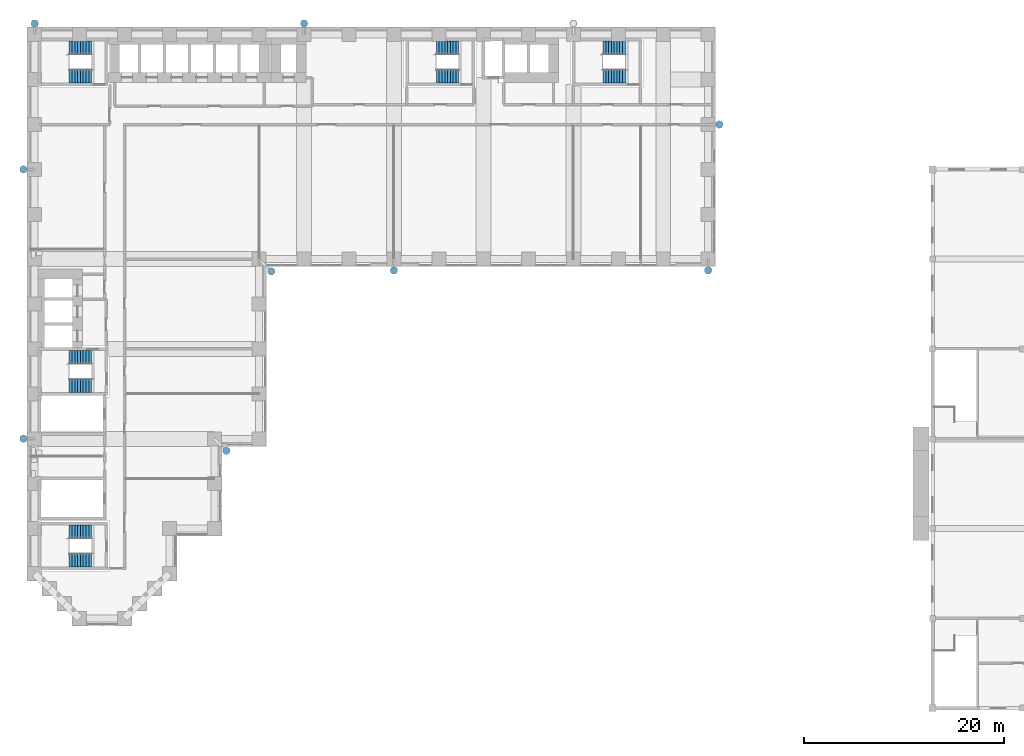
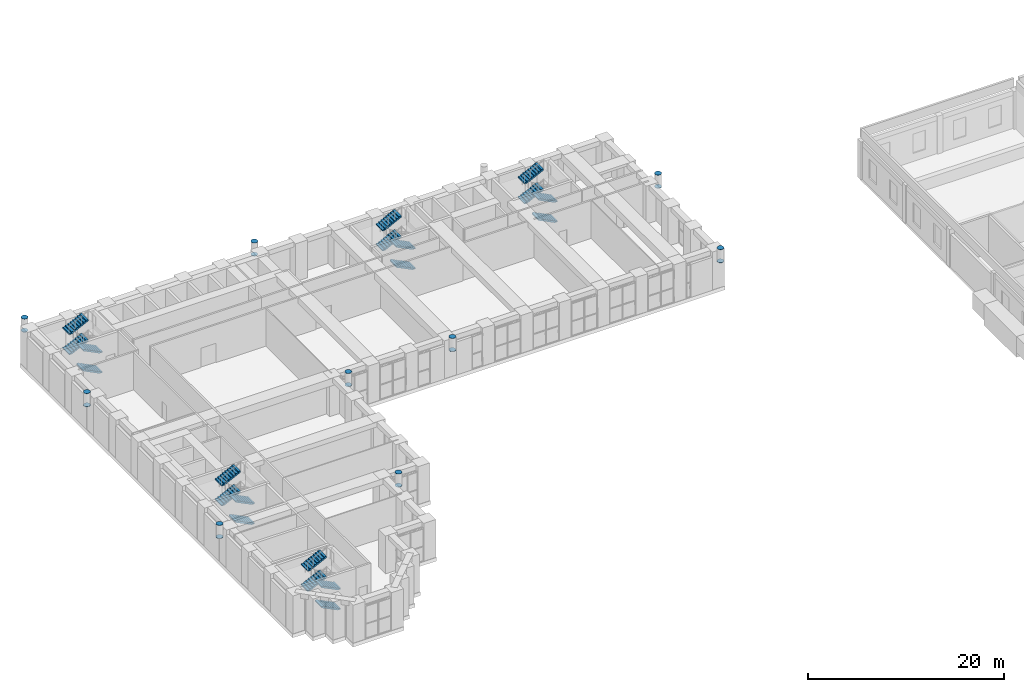
# One storey, part 29 of 35: 20 stair flights, 18 discrete accessories, 5 elements without a shape of their own.
"""IFC4 building model written with IfcOpenShell, lengths in metres."""

from ifc_helpers import new_model, si_unit, direction, frame, origin, origin_2d, place, context, subcontext, project, spatial, polyline, circle, outline, extrude, material, material_profile, profile_set, type_object, element, aggregate, save


model = new_model("IFC4")

# Units and contexts
model_context = context("Model", 3, precision=1e-05, world=origin(), true_north=direction((0.0, 1.0)))
body_context = subcontext(model_context, "Body", "Model", "MODEL_VIEW")
ifc_project = project(units=[si_unit("LENGTHUNIT", "METRE"), si_unit("AREAUNIT", "SQUARE_METRE"), si_unit("VOLUMEUNIT", "CUBIC_METRE"), si_unit("PLANEANGLEUNIT", "RADIAN"), si_unit("MASSUNIT", "GRAM", prefix="KILO")], contexts=[model_context])

# Site, building, storey
site_placement = place(None, origin())
site = spatial("IfcSite", under=ifc_project, at=site_placement, CompositionType="ELEMENT")
building_placement = place(site_placement, origin())
building = spatial("IfcBuilding", under=site, at=building_placement, Name="Firuza Court", CompositionType="ELEMENT")
storey_placement = place(building_placement, frame((0.0, 0.0, 24.0)))
storey = spatial("IfcBuildingStorey", under=building, at=storey_placement, Name="L04", CompositionType="ELEMENT", Elevation=24.0)

# Stair, stair flights
ifc_material_1 = material(Name="Concrete C40/50 precast", Category="concrete")
stair_type = type_object("IfcStairType", Name="Stair 1350 x 5000 4 flights", PredefinedType="QUARTER_TURN_STAIR", material=ifc_material_1)
stair_1_placement = place(storey_placement, origin())
stair_1 = element("IfcStair", 1, at=stair_1_placement, inside=storey, type_object=stair_type, Name="Stair 1 L04", PredefinedType="QUARTER_TURN_STAIR")
ifc_material_2 = material(Name="Concrete C40/50 precast", Category="concrete")
stair_flight_type = type_object("IfcStairFlightType", Name="Flight 1350 riser 138.9", PredefinedType="STRAIGHT", material=ifc_material_2)
stair_flight_1_placement = place(storey_placement, frame((42.5, 54.324951171875, 0.0), z_axis=(0.0, 0.0, 1.0), x_axis=(-1.0, 0.0, 0.0)))
stair_flight_1 = element("IfcStairFlight", 2, at=stair_flight_1_placement, type_object=stair_flight_type, Name="S1 flight 1", NumberOfRisers=9, NumberOfTreads=8, PredefinedType="STRAIGHT", RiserHeight=0.138888889, TreadLength=0.28, context=body_context, shape_type="SweptSolid", body=[
    extrude(outline(polyline([(0.0, 0.0), (0.0, 0.138916015625), (0.280029296875, 0.138916015625), (0.280029296875, 0.27783203125), (0.56005859375, 0.27783203125), (0.56005859375, 0.416748046875), (0.840087890625, 0.416748046875), (0.840087890625, 0.5556640625), (1.1201171875, 0.5556640625), (1.1201171875, 0.6943359375), (1.39990234375, 0.6943359375), (1.39990234375, 0.833251953125), (1.679931640625, 0.833251953125), (1.679931640625, 0.97216796875), (1.9599609375, 0.97216796875), (1.9599609375, 1.111083984375), (2.239990234375, 1.111083984375), (2.239990234375, 1.25), (2.239990234375, 0.94384765625), (0.33740234375, 0.0), (0.0, 0.0)])), frame((0.0, 0.675048828125, 0.0), z_axis=(0.0, -1.0, 0.0), x_axis=(1.0, 0.0, 0.0)), (0.0, 0.0, 1.0), 1.35009765625),
])
stair_flight_2_placement = place(storey_placement, frame((40.260009765625, 57.175048828125, 1.25), z_axis=(0.0, 0.0, 1.0), x_axis=(1.0, 0.0, 0.0)))
stair_flight_2 = element("IfcStairFlight", 3, at=stair_flight_2_placement, type_object=stair_flight_type, Name="S1 flight 2", NumberOfRisers=9, NumberOfTreads=8, PredefinedType="STRAIGHT", RiserHeight=0.138888889, TreadLength=0.28, context=body_context, shape_type="SweptSolid", body=[
    extrude(outline(polyline([(0.0, 0.0), (0.0, 0.138916015625), (0.280029296875, 0.138916015625), (0.280029296875, 0.27783203125), (0.56005859375, 0.27783203125), (0.56005859375, 0.416748046875), (0.840087890625, 0.416748046875), (0.840087890625, 0.5556640625), (1.1201171875, 0.5556640625), (1.1201171875, 0.6943359375), (1.39990234375, 0.6943359375), (1.39990234375, 0.833251953125), (1.679931640625, 0.833251953125), (1.679931640625, 0.97216796875), (1.9599609375, 0.97216796875), (1.9599609375, 1.111083984375), (2.239990234375, 1.111083984375), (2.239990234375, 1.25), (2.239990234375, 0.94384765625), (0.33740234375, 0.0), (0.0, 0.0)])), frame((0.0, 0.675048828125, 0.0), z_axis=(0.0, -1.0, 0.0), x_axis=(1.0, 0.0, 0.0)), (0.0, 0.0, 1.0), 1.35009765625),
])
stair_flight_3_placement = place(storey_placement, frame((42.5, 54.324951171875, 2.5), z_axis=(0.0, 0.0, 1.0), x_axis=(-1.0, 0.0, 0.0)))
stair_flight_3 = element("IfcStairFlight", 4, at=stair_flight_3_placement, type_object=stair_flight_type, Name="S1 flight 3", NumberOfRisers=9, NumberOfTreads=8, PredefinedType="STRAIGHT", RiserHeight=0.138888889, TreadLength=0.28, context=body_context, shape_type="SweptSolid", body=[
    extrude(outline(polyline([(0.0, 0.0), (0.0, 0.138916015625), (0.280029296875, 0.138916015625), (0.280029296875, 0.27783203125), (0.56005859375, 0.27783203125), (0.56005859375, 0.416748046875), (0.840087890625, 0.416748046875), (0.840087890625, 0.5556640625), (1.1201171875, 0.5556640625), (1.1201171875, 0.6943359375), (1.39990234375, 0.6943359375), (1.39990234375, 0.833251953125), (1.679931640625, 0.833251953125), (1.679931640625, 0.97216796875), (1.9599609375, 0.97216796875), (1.9599609375, 1.111083984375), (2.239990234375, 1.111083984375), (2.239990234375, 1.25), (2.239990234375, 0.94384765625), (0.33740234375, 0.0), (0.0, 0.0)])), frame((0.0, 0.675048828125, 0.0), z_axis=(0.0, -1.0, 0.0), x_axis=(1.0, 0.0, 0.0)), (0.0, 0.0, 1.0), 1.35009765625),
])
stair_flight_4_placement = place(storey_placement, frame((40.260009765625, 57.175048828125, 3.75), z_axis=(0.0, 0.0, 1.0), x_axis=(1.0, 0.0, 0.0)))
stair_flight_4 = element("IfcStairFlight", 5, at=stair_flight_4_placement, type_object=stair_flight_type, Name="S1 flight 4", NumberOfRisers=9, NumberOfTreads=8, PredefinedType="STRAIGHT", RiserHeight=0.138888889, TreadLength=0.28, context=body_context, shape_type="SweptSolid", body=[
    extrude(outline(polyline([(0.0, 0.0), (0.0, 0.138916015625), (0.280029296875, 0.138916015625), (0.280029296875, 0.27783203125), (0.56005859375, 0.27783203125), (0.56005859375, 0.416748046875), (0.840087890625, 0.416748046875), (0.840087890625, 0.5556640625), (1.1201171875, 0.5556640625), (1.1201171875, 0.6943359375), (1.39990234375, 0.6943359375), (1.39990234375, 0.833251953125), (1.679931640625, 0.833251953125), (1.679931640625, 0.97216796875), (1.9599609375, 0.97216796875), (1.9599609375, 1.111083984375), (2.239990234375, 1.111083984375), (2.239990234375, 1.25), (2.239990234375, 0.94384765625), (0.33740234375, 0.0), (0.0, 0.0)])), frame((0.0, 0.675048828125, 0.0), z_axis=(0.0, -1.0, 0.0), x_axis=(1.0, 0.0, 0.0)), (0.0, 0.0, 1.0), 1.35009765625),
])
aggregate(stair_1, [stair_flight_1, stair_flight_2, stair_flight_3, stair_flight_4])

stair_2_placement = place(storey_placement, origin())
stair_2 = element("IfcStair", 6, at=stair_2_placement, inside=storey, type_object=stair_type, Name="Stair 2 L04", PredefinedType="QUARTER_TURN_STAIR")
stair_flight_5_placement = place(storey_placement, frame((5.699951171875, 23.324951171875, 0.0), z_axis=(0.0, 0.0, 1.0), x_axis=(-1.0, 0.0, 0.0)))
stair_flight_5 = element("IfcStairFlight", 7, at=stair_flight_5_placement, type_object=stair_flight_type, Name="S2 flight 1", NumberOfRisers=9, NumberOfTreads=8, PredefinedType="STRAIGHT", RiserHeight=0.138888889, TreadLength=0.28, context=body_context, shape_type="SweptSolid", body=[
    extrude(outline(polyline([(0.0, 0.0), (0.0, 0.138916015625), (0.280029296875, 0.138916015625), (0.280029296875, 0.27783203125), (0.56005859375, 0.27783203125), (0.56005859375, 0.416748046875), (0.840087890625, 0.416748046875), (0.840087890625, 0.5556640625), (1.1201171875, 0.5556640625), (1.1201171875, 0.6943359375), (1.39990234375, 0.6943359375), (1.39990234375, 0.833251953125), (1.679931640625, 0.833251953125), (1.679931640625, 0.97216796875), (1.9599609375, 0.97216796875), (1.9599609375, 1.111083984375), (2.239990234375, 1.111083984375), (2.239990234375, 1.25), (2.239990234375, 0.94384765625), (0.33740234375, 0.0), (0.0, 0.0)])), frame((0.0, 0.675048828125, 0.0), z_axis=(0.0, -1.0, 0.0), x_axis=(1.0, 0.0, 0.0)), (0.0, 0.0, 1.0), 1.35009765625),
])
stair_flight_6_placement = place(storey_placement, frame((3.4599609375, 26.175048828125, 1.25), z_axis=(0.0, 0.0, 1.0), x_axis=(1.0, 0.0, 0.0)))
stair_flight_6 = element("IfcStairFlight", 8, at=stair_flight_6_placement, type_object=stair_flight_type, Name="S2 flight 2", NumberOfRisers=9, NumberOfTreads=8, PredefinedType="STRAIGHT", RiserHeight=0.138888889, TreadLength=0.28, context=body_context, shape_type="SweptSolid", body=[
    extrude(outline(polyline([(0.0, 0.0), (0.0, 0.138916015625), (0.280029296875, 0.138916015625), (0.280029296875, 0.27783203125), (0.56005859375, 0.27783203125), (0.56005859375, 0.416748046875), (0.840087890625, 0.416748046875), (0.840087890625, 0.5556640625), (1.1201171875, 0.5556640625), (1.1201171875, 0.6943359375), (1.39990234375, 0.6943359375), (1.39990234375, 0.833251953125), (1.679931640625, 0.833251953125), (1.679931640625, 0.97216796875), (1.9599609375, 0.97216796875), (1.9599609375, 1.111083984375), (2.239990234375, 1.111083984375), (2.239990234375, 1.25), (2.239990234375, 0.94384765625), (0.33740234375, 0.0), (0.0, 0.0)])), frame((0.0, 0.675048828125, 0.0), z_axis=(0.0, -1.0, 0.0), x_axis=(1.0, 0.0, 0.0)), (0.0, 0.0, 1.0), 1.35009765625),
])
stair_flight_7_placement = place(storey_placement, frame((5.699951171875, 23.324951171875, 2.5), z_axis=(0.0, 0.0, 1.0), x_axis=(-1.0, 0.0, 0.0)))
stair_flight_7 = element("IfcStairFlight", 9, at=stair_flight_7_placement, type_object=stair_flight_type, Name="S2 flight 3", NumberOfRisers=9, NumberOfTreads=8, PredefinedType="STRAIGHT", RiserHeight=0.138888889, TreadLength=0.28, context=body_context, shape_type="SweptSolid", body=[
    extrude(outline(polyline([(0.0, 0.0), (0.0, 0.138916015625), (0.280029296875, 0.138916015625), (0.280029296875, 0.27783203125), (0.56005859375, 0.27783203125), (0.56005859375, 0.416748046875), (0.840087890625, 0.416748046875), (0.840087890625, 0.5556640625), (1.1201171875, 0.5556640625), (1.1201171875, 0.6943359375), (1.39990234375, 0.6943359375), (1.39990234375, 0.833251953125), (1.679931640625, 0.833251953125), (1.679931640625, 0.97216796875), (1.9599609375, 0.97216796875), (1.9599609375, 1.111083984375), (2.239990234375, 1.111083984375), (2.239990234375, 1.25), (2.239990234375, 0.94384765625), (0.33740234375, 0.0), (0.0, 0.0)])), frame((0.0, 0.675048828125, 0.0), z_axis=(0.0, -1.0, 0.0), x_axis=(1.0, 0.0, 0.0)), (0.0, 0.0, 1.0), 1.35009765625),
])
stair_flight_8_placement = place(storey_placement, frame((3.4599609375, 26.175048828125, 3.75), z_axis=(0.0, 0.0, 1.0), x_axis=(1.0, 0.0, 0.0)))
stair_flight_8 = element("IfcStairFlight", 10, at=stair_flight_8_placement, type_object=stair_flight_type, Name="S2 flight 4", NumberOfRisers=9, NumberOfTreads=8, PredefinedType="STRAIGHT", RiserHeight=0.138888889, TreadLength=0.28, context=body_context, shape_type="SweptSolid", body=[
    extrude(outline(polyline([(0.0, 0.0), (0.0, 0.138916015625), (0.280029296875, 0.138916015625), (0.280029296875, 0.27783203125), (0.56005859375, 0.27783203125), (0.56005859375, 0.416748046875), (0.840087890625, 0.416748046875), (0.840087890625, 0.5556640625), (1.1201171875, 0.5556640625), (1.1201171875, 0.6943359375), (1.39990234375, 0.6943359375), (1.39990234375, 0.833251953125), (1.679931640625, 0.833251953125), (1.679931640625, 0.97216796875), (1.9599609375, 0.97216796875), (1.9599609375, 1.111083984375), (2.239990234375, 1.111083984375), (2.239990234375, 1.25), (2.239990234375, 0.94384765625), (0.33740234375, 0.0), (0.0, 0.0)])), frame((0.0, 0.675048828125, 0.0), z_axis=(0.0, -1.0, 0.0), x_axis=(1.0, 0.0, 0.0)), (0.0, 0.0, 1.0), 1.35009765625),
])
aggregate(stair_2, [stair_flight_5, stair_flight_6, stair_flight_7, stair_flight_8])

stair_3_placement = place(storey_placement, origin())
stair_3 = element("IfcStair", 11, at=stair_3_placement, inside=storey, type_object=stair_type, Name="Stair 3 L04", PredefinedType="QUARTER_TURN_STAIR")
stair_flight_9_placement = place(storey_placement, frame((5.699951171875, 54.324951171875, 0.0), z_axis=(0.0, 0.0, 1.0), x_axis=(-1.0, 0.0, 0.0)))
stair_flight_9 = element("IfcStairFlight", 12, at=stair_flight_9_placement, type_object=stair_flight_type, Name="S3 flight 1", NumberOfRisers=9, NumberOfTreads=8, PredefinedType="STRAIGHT", RiserHeight=0.138888889, TreadLength=0.28, context=body_context, shape_type="SweptSolid", body=[
    extrude(outline(polyline([(0.0, 0.0), (0.0, 0.138916015625), (0.280029296875, 0.138916015625), (0.280029296875, 0.27783203125), (0.56005859375, 0.27783203125), (0.56005859375, 0.416748046875), (0.840087890625, 0.416748046875), (0.840087890625, 0.5556640625), (1.1201171875, 0.5556640625), (1.1201171875, 0.6943359375), (1.39990234375, 0.6943359375), (1.39990234375, 0.833251953125), (1.679931640625, 0.833251953125), (1.679931640625, 0.97216796875), (1.9599609375, 0.97216796875), (1.9599609375, 1.111083984375), (2.239990234375, 1.111083984375), (2.239990234375, 1.25), (2.239990234375, 0.94384765625), (0.33740234375, 0.0), (0.0, 0.0)])), frame((0.0, 0.675048828125, 0.0), z_axis=(0.0, -1.0, 0.0), x_axis=(1.0, 0.0, 0.0)), (0.0, 0.0, 1.0), 1.35009765625),
])
stair_flight_10_placement = place(storey_placement, frame((3.4599609375, 57.175048828125, 1.25), z_axis=(0.0, 0.0, 1.0), x_axis=(1.0, 0.0, 0.0)))
stair_flight_10 = element("IfcStairFlight", 13, at=stair_flight_10_placement, type_object=stair_flight_type, Name="S3 flight 2", NumberOfRisers=9, NumberOfTreads=8, PredefinedType="STRAIGHT", RiserHeight=0.138888889, TreadLength=0.28, context=body_context, shape_type="SweptSolid", body=[
    extrude(outline(polyline([(0.0, 0.0), (0.0, 0.138916015625), (0.280029296875, 0.138916015625), (0.280029296875, 0.27783203125), (0.56005859375, 0.27783203125), (0.56005859375, 0.416748046875), (0.840087890625, 0.416748046875), (0.840087890625, 0.5556640625), (1.1201171875, 0.5556640625), (1.1201171875, 0.6943359375), (1.39990234375, 0.6943359375), (1.39990234375, 0.833251953125), (1.679931640625, 0.833251953125), (1.679931640625, 0.97216796875), (1.9599609375, 0.97216796875), (1.9599609375, 1.111083984375), (2.239990234375, 1.111083984375), (2.239990234375, 1.25), (2.239990234375, 0.94384765625), (0.33740234375, 0.0), (0.0, 0.0)])), frame((0.0, 0.675048828125, 0.0), z_axis=(0.0, -1.0, 0.0), x_axis=(1.0, 0.0, 0.0)), (0.0, 0.0, 1.0), 1.35009765625),
])
stair_flight_11_placement = place(storey_placement, frame((5.699951171875, 54.324951171875, 2.5), z_axis=(0.0, 0.0, 1.0), x_axis=(-1.0, 0.0, 0.0)))
stair_flight_11 = element("IfcStairFlight", 14, at=stair_flight_11_placement, type_object=stair_flight_type, Name="S3 flight 3", NumberOfRisers=9, NumberOfTreads=8, PredefinedType="STRAIGHT", RiserHeight=0.138888889, TreadLength=0.28, context=body_context, shape_type="SweptSolid", body=[
    extrude(outline(polyline([(0.0, 0.0), (0.0, 0.138916015625), (0.280029296875, 0.138916015625), (0.280029296875, 0.27783203125), (0.56005859375, 0.27783203125), (0.56005859375, 0.416748046875), (0.840087890625, 0.416748046875), (0.840087890625, 0.5556640625), (1.1201171875, 0.5556640625), (1.1201171875, 0.6943359375), (1.39990234375, 0.6943359375), (1.39990234375, 0.833251953125), (1.679931640625, 0.833251953125), (1.679931640625, 0.97216796875), (1.9599609375, 0.97216796875), (1.9599609375, 1.111083984375), (2.239990234375, 1.111083984375), (2.239990234375, 1.25), (2.239990234375, 0.94384765625), (0.33740234375, 0.0), (0.0, 0.0)])), frame((0.0, 0.675048828125, 0.0), z_axis=(0.0, -1.0, 0.0), x_axis=(1.0, 0.0, 0.0)), (0.0, 0.0, 1.0), 1.35009765625),
])
stair_flight_12_placement = place(storey_placement, frame((3.4599609375, 57.175048828125, 3.75), z_axis=(0.0, 0.0, 1.0), x_axis=(1.0, 0.0, 0.0)))
stair_flight_12 = element("IfcStairFlight", 15, at=stair_flight_12_placement, type_object=stair_flight_type, Name="S3 flight 4", NumberOfRisers=9, NumberOfTreads=8, PredefinedType="STRAIGHT", RiserHeight=0.138888889, TreadLength=0.28, context=body_context, shape_type="SweptSolid", body=[
    extrude(outline(polyline([(0.0, 0.0), (0.0, 0.138916015625), (0.280029296875, 0.138916015625), (0.280029296875, 0.27783203125), (0.56005859375, 0.27783203125), (0.56005859375, 0.416748046875), (0.840087890625, 0.416748046875), (0.840087890625, 0.5556640625), (1.1201171875, 0.5556640625), (1.1201171875, 0.6943359375), (1.39990234375, 0.6943359375), (1.39990234375, 0.833251953125), (1.679931640625, 0.833251953125), (1.679931640625, 0.97216796875), (1.9599609375, 0.97216796875), (1.9599609375, 1.111083984375), (2.239990234375, 1.111083984375), (2.239990234375, 1.25), (2.239990234375, 0.94384765625), (0.33740234375, 0.0), (0.0, 0.0)])), frame((0.0, 0.675048828125, 0.0), z_axis=(0.0, -1.0, 0.0), x_axis=(1.0, 0.0, 0.0)), (0.0, 0.0, 1.0), 1.35009765625),
])
aggregate(stair_3, [stair_flight_9, stair_flight_10, stair_flight_11, stair_flight_12])

stair_4_placement = place(storey_placement, origin())
stair_4 = element("IfcStair", 16, at=stair_4_placement, inside=storey, type_object=stair_type, Name="Stair 4 L04", PredefinedType="QUARTER_TURN_STAIR")
stair_flight_13_placement = place(storey_placement, frame((59.199951171875, 54.324951171875, 0.0), z_axis=(0.0, 0.0, 1.0), x_axis=(-1.0, 0.0, 0.0)))
stair_flight_13 = element("IfcStairFlight", 17, at=stair_flight_13_placement, type_object=stair_flight_type, Name="S4 flight 1", NumberOfRisers=9, NumberOfTreads=8, PredefinedType="STRAIGHT", RiserHeight=0.138888889, TreadLength=0.28, context=body_context, shape_type="SweptSolid", body=[
    extrude(outline(polyline([(0.0, 0.0), (0.0, 0.138916015625), (0.280029296875, 0.138916015625), (0.280029296875, 0.27783203125), (0.56005859375, 0.27783203125), (0.56005859375, 0.416748046875), (0.840087890625, 0.416748046875), (0.840087890625, 0.5556640625), (1.1201171875, 0.5556640625), (1.1201171875, 0.6943359375), (1.39990234375, 0.6943359375), (1.39990234375, 0.833251953125), (1.679931640625, 0.833251953125), (1.679931640625, 0.97216796875), (1.9599609375, 0.97216796875), (1.9599609375, 1.111083984375), (2.239990234375, 1.111083984375), (2.239990234375, 1.25), (2.239990234375, 0.94384765625), (0.33740234375, 0.0), (0.0, 0.0)])), frame((0.0, 0.675048828125, 0.0), z_axis=(0.0, -1.0, 0.0), x_axis=(1.0, 0.0, 0.0)), (0.0, 0.0, 1.0), 1.35009765625),
])
stair_flight_14_placement = place(storey_placement, frame((56.9599609375, 57.175048828125, 1.25), z_axis=(0.0, 0.0, 1.0), x_axis=(1.0, 0.0, 0.0)))
stair_flight_14 = element("IfcStairFlight", 18, at=stair_flight_14_placement, type_object=stair_flight_type, Name="S4 flight 2", NumberOfRisers=9, NumberOfTreads=8, PredefinedType="STRAIGHT", RiserHeight=0.138888889, TreadLength=0.28, context=body_context, shape_type="SweptSolid", body=[
    extrude(outline(polyline([(0.0, 0.0), (0.0, 0.138916015625), (0.280029296875, 0.138916015625), (0.280029296875, 0.27783203125), (0.56005859375, 0.27783203125), (0.56005859375, 0.416748046875), (0.840087890625, 0.416748046875), (0.840087890625, 0.5556640625), (1.1201171875, 0.5556640625), (1.1201171875, 0.6943359375), (1.39990234375, 0.6943359375), (1.39990234375, 0.833251953125), (1.679931640625, 0.833251953125), (1.679931640625, 0.97216796875), (1.9599609375, 0.97216796875), (1.9599609375, 1.111083984375), (2.239990234375, 1.111083984375), (2.239990234375, 1.25), (2.239990234375, 0.94384765625), (0.33740234375, 0.0), (0.0, 0.0)])), frame((0.0, 0.675048828125, 0.0), z_axis=(0.0, -1.0, 0.0), x_axis=(1.0, 0.0, 0.0)), (0.0, 0.0, 1.0), 1.35009765625),
])
stair_flight_15_placement = place(storey_placement, frame((59.199951171875, 54.324951171875, 2.5), z_axis=(0.0, 0.0, 1.0), x_axis=(-1.0, 0.0, 0.0)))
stair_flight_15 = element("IfcStairFlight", 19, at=stair_flight_15_placement, type_object=stair_flight_type, Name="S4 flight 3", NumberOfRisers=9, NumberOfTreads=8, PredefinedType="STRAIGHT", RiserHeight=0.138888889, TreadLength=0.28, context=body_context, shape_type="SweptSolid", body=[
    extrude(outline(polyline([(0.0, 0.0), (0.0, 0.138916015625), (0.280029296875, 0.138916015625), (0.280029296875, 0.27783203125), (0.56005859375, 0.27783203125), (0.56005859375, 0.416748046875), (0.840087890625, 0.416748046875), (0.840087890625, 0.5556640625), (1.1201171875, 0.5556640625), (1.1201171875, 0.6943359375), (1.39990234375, 0.6943359375), (1.39990234375, 0.833251953125), (1.679931640625, 0.833251953125), (1.679931640625, 0.97216796875), (1.9599609375, 0.97216796875), (1.9599609375, 1.111083984375), (2.239990234375, 1.111083984375), (2.239990234375, 1.25), (2.239990234375, 0.94384765625), (0.33740234375, 0.0), (0.0, 0.0)])), frame((0.0, 0.675048828125, 0.0), z_axis=(0.0, -1.0, 0.0), x_axis=(1.0, 0.0, 0.0)), (0.0, 0.0, 1.0), 1.35009765625),
])
stair_flight_16_placement = place(storey_placement, frame((56.9599609375, 57.175048828125, 3.75), z_axis=(0.0, 0.0, 1.0), x_axis=(1.0, 0.0, 0.0)))
stair_flight_16 = element("IfcStairFlight", 20, at=stair_flight_16_placement, type_object=stair_flight_type, Name="S4 flight 4", NumberOfRisers=9, NumberOfTreads=8, PredefinedType="STRAIGHT", RiserHeight=0.138888889, TreadLength=0.28, context=body_context, shape_type="SweptSolid", body=[
    extrude(outline(polyline([(0.0, 0.0), (0.0, 0.138916015625), (0.280029296875, 0.138916015625), (0.280029296875, 0.27783203125), (0.56005859375, 0.27783203125), (0.56005859375, 0.416748046875), (0.840087890625, 0.416748046875), (0.840087890625, 0.5556640625), (1.1201171875, 0.5556640625), (1.1201171875, 0.6943359375), (1.39990234375, 0.6943359375), (1.39990234375, 0.833251953125), (1.679931640625, 0.833251953125), (1.679931640625, 0.97216796875), (1.9599609375, 0.97216796875), (1.9599609375, 1.111083984375), (2.239990234375, 1.111083984375), (2.239990234375, 1.25), (2.239990234375, 0.94384765625), (0.33740234375, 0.0), (0.0, 0.0)])), frame((0.0, 0.675048828125, 0.0), z_axis=(0.0, -1.0, 0.0), x_axis=(1.0, 0.0, 0.0)), (0.0, 0.0, 1.0), 1.35009765625),
])
aggregate(stair_4, [stair_flight_13, stair_flight_14, stair_flight_15, stair_flight_16])

stair_5_placement = place(storey_placement, origin())
stair_5 = element("IfcStair", 21, at=stair_5_placement, inside=storey, type_object=stair_type, Name="Stair 5 L04", PredefinedType="QUARTER_TURN_STAIR")
stair_flight_17_placement = place(storey_placement, frame((5.699951171875, 5.824951171875, 0.0), z_axis=(0.0, 0.0, 1.0), x_axis=(-1.0, 0.0, 0.0)))
stair_flight_17 = element("IfcStairFlight", 22, at=stair_flight_17_placement, type_object=stair_flight_type, Name="S5 flight 1", NumberOfRisers=9, NumberOfTreads=8, PredefinedType="STRAIGHT", RiserHeight=0.138888889, TreadLength=0.28, context=body_context, shape_type="SweptSolid", body=[
    extrude(outline(polyline([(0.0, 0.0), (0.0, 0.138916015625), (0.280029296875, 0.138916015625), (0.280029296875, 0.27783203125), (0.56005859375, 0.27783203125), (0.56005859375, 0.416748046875), (0.840087890625, 0.416748046875), (0.840087890625, 0.5556640625), (1.1201171875, 0.5556640625), (1.1201171875, 0.6943359375), (1.39990234375, 0.6943359375), (1.39990234375, 0.833251953125), (1.679931640625, 0.833251953125), (1.679931640625, 0.97216796875), (1.9599609375, 0.97216796875), (1.9599609375, 1.111083984375), (2.239990234375, 1.111083984375), (2.239990234375, 1.25), (2.239990234375, 0.94384765625), (0.33740234375, 0.0), (0.0, 0.0)])), frame((0.0, 0.675048828125, 0.0), z_axis=(0.0, -1.0, 0.0), x_axis=(1.0, 0.0, 0.0)), (0.0, 0.0, 1.0), 1.35009765625),
])
stair_flight_18_placement = place(storey_placement, frame((3.4599609375, 8.675048828125, 1.25), z_axis=(0.0, 0.0, 1.0), x_axis=(1.0, 0.0, 0.0)))
stair_flight_18 = element("IfcStairFlight", 23, at=stair_flight_18_placement, type_object=stair_flight_type, Name="S5 flight 2", NumberOfRisers=9, NumberOfTreads=8, PredefinedType="STRAIGHT", RiserHeight=0.138888889, TreadLength=0.28, context=body_context, shape_type="SweptSolid", body=[
    extrude(outline(polyline([(0.0, 0.0), (0.0, 0.138916015625), (0.280029296875, 0.138916015625), (0.280029296875, 0.27783203125), (0.56005859375, 0.27783203125), (0.56005859375, 0.416748046875), (0.840087890625, 0.416748046875), (0.840087890625, 0.5556640625), (1.1201171875, 0.5556640625), (1.1201171875, 0.6943359375), (1.39990234375, 0.6943359375), (1.39990234375, 0.833251953125), (1.679931640625, 0.833251953125), (1.679931640625, 0.97216796875), (1.9599609375, 0.97216796875), (1.9599609375, 1.111083984375), (2.239990234375, 1.111083984375), (2.239990234375, 1.25), (2.239990234375, 0.94384765625), (0.33740234375, 0.0), (0.0, 0.0)])), frame((0.0, 0.675048828125, 0.0), z_axis=(0.0, -1.0, 0.0), x_axis=(1.0, 0.0, 0.0)), (0.0, 0.0, 1.0), 1.35009765625),
])
stair_flight_19_placement = place(storey_placement, frame((5.699951171875, 5.824951171875, 2.5), z_axis=(0.0, 0.0, 1.0), x_axis=(-1.0, 0.0, 0.0)))
stair_flight_19 = element("IfcStairFlight", 24, at=stair_flight_19_placement, type_object=stair_flight_type, Name="S5 flight 3", NumberOfRisers=9, NumberOfTreads=8, PredefinedType="STRAIGHT", RiserHeight=0.138888889, TreadLength=0.28, context=body_context, shape_type="SweptSolid", body=[
    extrude(outline(polyline([(0.0, 0.0), (0.0, 0.138916015625), (0.280029296875, 0.138916015625), (0.280029296875, 0.27783203125), (0.56005859375, 0.27783203125), (0.56005859375, 0.416748046875), (0.840087890625, 0.416748046875), (0.840087890625, 0.5556640625), (1.1201171875, 0.5556640625), (1.1201171875, 0.6943359375), (1.39990234375, 0.6943359375), (1.39990234375, 0.833251953125), (1.679931640625, 0.833251953125), (1.679931640625, 0.97216796875), (1.9599609375, 0.97216796875), (1.9599609375, 1.111083984375), (2.239990234375, 1.111083984375), (2.239990234375, 1.25), (2.239990234375, 0.94384765625), (0.33740234375, 0.0), (0.0, 0.0)])), frame((0.0, 0.675048828125, 0.0), z_axis=(0.0, -1.0, 0.0), x_axis=(1.0, 0.0, 0.0)), (0.0, 0.0, 1.0), 1.35009765625),
])
stair_flight_20_placement = place(storey_placement, frame((3.4599609375, 8.675048828125, 3.75), z_axis=(0.0, 0.0, 1.0), x_axis=(1.0, 0.0, 0.0)))
stair_flight_20 = element("IfcStairFlight", 25, at=stair_flight_20_placement, type_object=stair_flight_type, Name="S5 flight 4", NumberOfRisers=9, NumberOfTreads=8, PredefinedType="STRAIGHT", RiserHeight=0.138888889, TreadLength=0.28, context=body_context, shape_type="SweptSolid", body=[
    extrude(outline(polyline([(0.0, 0.0), (0.0, 0.138916015625), (0.280029296875, 0.138916015625), (0.280029296875, 0.27783203125), (0.56005859375, 0.27783203125), (0.56005859375, 0.416748046875), (0.840087890625, 0.416748046875), (0.840087890625, 0.5556640625), (1.1201171875, 0.5556640625), (1.1201171875, 0.6943359375), (1.39990234375, 0.6943359375), (1.39990234375, 0.833251953125), (1.679931640625, 0.833251953125), (1.679931640625, 0.97216796875), (1.9599609375, 0.97216796875), (1.9599609375, 1.111083984375), (2.239990234375, 1.111083984375), (2.239990234375, 1.25), (2.239990234375, 0.94384765625), (0.33740234375, 0.0), (0.0, 0.0)])), frame((0.0, 0.675048828125, 0.0), z_axis=(0.0, -1.0, 0.0), x_axis=(1.0, 0.0, 0.0)), (0.0, 0.0, 1.0), 1.35009765625),
])
aggregate(stair_5, [stair_flight_17, stair_flight_18, stair_flight_19, stair_flight_20])

# Discrete accessories
ifc_material_3 = material(Name="Steel S355", Category="steel")
ifc_material_profile = material_profile(ifc_material_3, circle(Radius=0.35546875, at=origin_2d()), Name="PL D711")
ifc_profile_set = profile_set([ifc_material_profile], Name="Steel S355")
discrete_accessory_type = type_object("IfcDiscreteAccessoryType", Name="DIAGRID NODE END PLATE", PredefinedType="NOTDEFINED", material=ifc_profile_set)
discrete_accessory_1_placement = place(storey_placement, frame((-1.1201171875, 18.0, 5.25), z_axis=(0.0, 0.0, 1.0), x_axis=(1.0, 0.0, 0.0)))
element("IfcDiscreteAccessory", 26, at=discrete_accessory_1_placement, inside=storey, type_object=discrete_accessory_type, Name="Diagrid node end plate level L04", PredefinedType="NOTDEFINED", context=body_context, shape_type="SweptSolid", body=[
    extrude(circle(Radius=0.35546875, at=origin_2d()), origin(), (0.0, 0.0, 1.0), 0.030029296875),
])
discrete_accessory_2_placement = place(storey_placement, frame((-1.1201171875, 18.0, 3.6201171875), z_axis=(0.0, 0.0, 1.0), x_axis=(1.0, 0.0, 0.0)))
element("IfcDiscreteAccessory", 27, at=discrete_accessory_2_placement, inside=storey, type_object=discrete_accessory_type, Name="Diagrid node end plate level L04", PredefinedType="NOTDEFINED", context=body_context, shape_type="SweptSolid", body=[
    extrude(circle(Radius=0.35546875, at=origin_2d()), origin(), (0.0, 0.0, 1.0), 0.02978515625),
])
discrete_accessory_3_placement = place(storey_placement, frame((-1.1201171875, 45.0, 5.25), z_axis=(0.0, 0.0, 1.0), x_axis=(1.0, 0.0, 0.0)))
element("IfcDiscreteAccessory", 28, at=discrete_accessory_3_placement, inside=storey, type_object=discrete_accessory_type, Name="Diagrid node end plate level L04", PredefinedType="NOTDEFINED", context=body_context, shape_type="SweptSolid", body=[
    extrude(circle(Radius=0.35546875, at=origin_2d()), origin(), (0.0, 0.0, 1.0), 0.030029296875),
])
discrete_accessory_4_placement = place(storey_placement, frame((-1.1201171875, 45.0, 3.6201171875), z_axis=(0.0, 0.0, 1.0), x_axis=(1.0, 0.0, 0.0)))
element("IfcDiscreteAccessory", 29, at=discrete_accessory_4_placement, inside=storey, type_object=discrete_accessory_type, Name="Diagrid node end plate level L04", PredefinedType="NOTDEFINED", context=body_context, shape_type="SweptSolid", body=[
    extrude(circle(Radius=0.35546875, at=origin_2d()), origin(), (0.0, 0.0, 1.0), 0.02978515625),
])
discrete_accessory_5_placement = place(storey_placement, frame((0.0, 59.6201171875, 5.25), z_axis=(0.0, 0.0, 1.0), x_axis=(1.0, 0.0, 0.0)))
element("IfcDiscreteAccessory", 30, at=discrete_accessory_5_placement, inside=storey, type_object=discrete_accessory_type, Name="Diagrid node end plate level L04", PredefinedType="NOTDEFINED", context=body_context, shape_type="SweptSolid", body=[
    extrude(circle(Radius=0.35546875, at=origin_2d()), origin(), (0.0, 0.0, 1.0), 0.030029296875),
])
discrete_accessory_6_placement = place(storey_placement, frame((0.0, 59.6201171875, 3.6201171875), z_axis=(0.0, 0.0, 1.0), x_axis=(1.0, 0.0, 0.0)))
element("IfcDiscreteAccessory", 31, at=discrete_accessory_6_placement, inside=storey, type_object=discrete_accessory_type, Name="Diagrid node end plate level L04", PredefinedType="NOTDEFINED", context=body_context, shape_type="SweptSolid", body=[
    extrude(circle(Radius=0.35546875, at=origin_2d()), origin(), (0.0, 0.0, 1.0), 0.02978515625),
])
discrete_accessory_7_placement = place(storey_placement, frame((19.2099609375, 16.7900390625, 5.25), z_axis=(0.0, 0.0, 1.0), x_axis=(1.0, 0.0, 0.0)))
element("IfcDiscreteAccessory", 32, at=discrete_accessory_7_placement, inside=storey, type_object=discrete_accessory_type, Name="Diagrid node end plate level L04", PredefinedType="NOTDEFINED", context=body_context, shape_type="SweptSolid", body=[
    extrude(circle(Radius=0.35546875, at=origin_2d()), origin(), (0.0, 0.0, 1.0), 0.030029296875),
])
discrete_accessory_8_placement = place(storey_placement, frame((19.2099609375, 16.7900390625, 3.6201171875), z_axis=(0.0, 0.0, 1.0), x_axis=(1.0, 0.0, 0.0)))
element("IfcDiscreteAccessory", 33, at=discrete_accessory_8_placement, inside=storey, type_object=discrete_accessory_type, Name="Diagrid node end plate level L04", PredefinedType="NOTDEFINED", context=body_context, shape_type="SweptSolid", body=[
    extrude(circle(Radius=0.35546875, at=origin_2d()), origin(), (0.0, 0.0, 1.0), 0.02978515625),
])
discrete_accessory_9_placement = place(storey_placement, frame((23.7099609375, 34.7900390625, 5.25), z_axis=(0.0, 0.0, 1.0), x_axis=(1.0, 0.0, 0.0)))
element("IfcDiscreteAccessory", 34, at=discrete_accessory_9_placement, inside=storey, type_object=discrete_accessory_type, Name="Diagrid node end plate level L04", PredefinedType="NOTDEFINED", context=body_context, shape_type="SweptSolid", body=[
    extrude(circle(Radius=0.35546875, at=origin_2d()), origin(), (0.0, 0.0, 1.0), 0.030029296875),
])
discrete_accessory_10_placement = place(storey_placement, frame((23.7099609375, 34.7900390625, 3.6201171875), z_axis=(0.0, 0.0, 1.0), x_axis=(1.0, 0.0, 0.0)))
element("IfcDiscreteAccessory", 35, at=discrete_accessory_10_placement, inside=storey, type_object=discrete_accessory_type, Name="Diagrid node end plate level L04", PredefinedType="NOTDEFINED", context=body_context, shape_type="SweptSolid", body=[
    extrude(circle(Radius=0.35546875, at=origin_2d()), origin(), (0.0, 0.0, 1.0), 0.02978515625),
])
discrete_accessory_11_placement = place(storey_placement, frame((27.0, 59.6201171875, 5.25), z_axis=(0.0, 0.0, 1.0), x_axis=(1.0, 0.0, 0.0)))
element("IfcDiscreteAccessory", 36, at=discrete_accessory_11_placement, inside=storey, type_object=discrete_accessory_type, Name="Diagrid node end plate level L04", PredefinedType="NOTDEFINED", context=body_context, shape_type="SweptSolid", body=[
    extrude(circle(Radius=0.35546875, at=origin_2d()), origin(), (0.0, 0.0, 1.0), 0.030029296875),
])
discrete_accessory_12_placement = place(storey_placement, frame((27.0, 59.6201171875, 3.6201171875), z_axis=(0.0, 0.0, 1.0), x_axis=(1.0, 0.0, 0.0)))
element("IfcDiscreteAccessory", 37, at=discrete_accessory_12_placement, inside=storey, type_object=discrete_accessory_type, Name="Diagrid node end plate level L04", PredefinedType="NOTDEFINED", context=body_context, shape_type="SweptSolid", body=[
    extrude(circle(Radius=0.35546875, at=origin_2d()), origin(), (0.0, 0.0, 1.0), 0.02978515625),
])
discrete_accessory_13_placement = place(storey_placement, frame((36.0, 34.8798828125, 5.25), z_axis=(0.0, 0.0, 1.0), x_axis=(1.0, 0.0, 0.0)))
element("IfcDiscreteAccessory", 38, at=discrete_accessory_13_placement, inside=storey, type_object=discrete_accessory_type, Name="Diagrid node end plate level L04", PredefinedType="NOTDEFINED", context=body_context, shape_type="SweptSolid", body=[
    extrude(circle(Radius=0.35546875, at=origin_2d()), origin(), (0.0, 0.0, 1.0), 0.030029296875),
])
discrete_accessory_14_placement = place(storey_placement, frame((36.0, 34.8798828125, 3.6201171875), z_axis=(0.0, 0.0, 1.0), x_axis=(1.0, 0.0, 0.0)))
element("IfcDiscreteAccessory", 39, at=discrete_accessory_14_placement, inside=storey, type_object=discrete_accessory_type, Name="Diagrid node end plate level L04", PredefinedType="NOTDEFINED", context=body_context, shape_type="SweptSolid", body=[
    extrude(circle(Radius=0.35546875, at=origin_2d()), origin(), (0.0, 0.0, 1.0), 0.02978515625),
])
discrete_accessory_15_placement = place(storey_placement, frame((67.5, 34.8798828125, 5.25), z_axis=(0.0, 0.0, 1.0), x_axis=(1.0, 0.0, 0.0)))
element("IfcDiscreteAccessory", 40, at=discrete_accessory_15_placement, inside=storey, type_object=discrete_accessory_type, Name="Diagrid node end plate level L04", PredefinedType="NOTDEFINED", context=body_context, shape_type="SweptSolid", body=[
    extrude(circle(Radius=0.35546875, at=origin_2d()), origin(), (0.0, 0.0, 1.0), 0.030029296875),
])
discrete_accessory_16_placement = place(storey_placement, frame((67.5, 34.8798828125, 3.6201171875), z_axis=(0.0, 0.0, 1.0), x_axis=(1.0, 0.0, 0.0)))
element("IfcDiscreteAccessory", 41, at=discrete_accessory_16_placement, inside=storey, type_object=discrete_accessory_type, Name="Diagrid node end plate level L04", PredefinedType="NOTDEFINED", context=body_context, shape_type="SweptSolid", body=[
    extrude(circle(Radius=0.35546875, at=origin_2d()), origin(), (0.0, 0.0, 1.0), 0.02978515625),
])
discrete_accessory_17_placement = place(storey_placement, frame((68.6201171875, 49.5, 5.25), z_axis=(0.0, 0.0, 1.0), x_axis=(1.0, 0.0, 0.0)))
element("IfcDiscreteAccessory", 42, at=discrete_accessory_17_placement, inside=storey, type_object=discrete_accessory_type, Name="Diagrid node end plate level L04", PredefinedType="NOTDEFINED", context=body_context, shape_type="SweptSolid", body=[
    extrude(circle(Radius=0.35546875, at=origin_2d()), origin(), (0.0, 0.0, 1.0), 0.030029296875),
])
discrete_accessory_18_placement = place(storey_placement, frame((68.6201171875, 49.5, 3.6201171875), z_axis=(0.0, 0.0, 1.0), x_axis=(1.0, 0.0, 0.0)))
element("IfcDiscreteAccessory", 43, at=discrete_accessory_18_placement, inside=storey, type_object=discrete_accessory_type, Name="Diagrid node end plate level L04", PredefinedType="NOTDEFINED", context=body_context, shape_type="SweptSolid", body=[
    extrude(circle(Radius=0.35546875, at=origin_2d()), origin(), (0.0, 0.0, 1.0), 0.02978515625),
])

save(model, "model.ifc")
